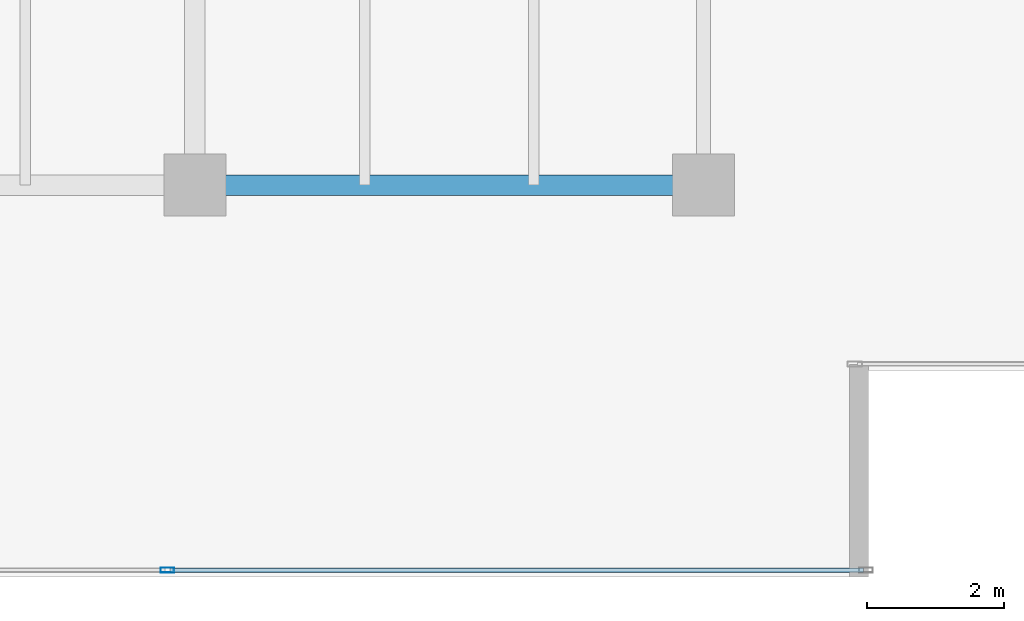
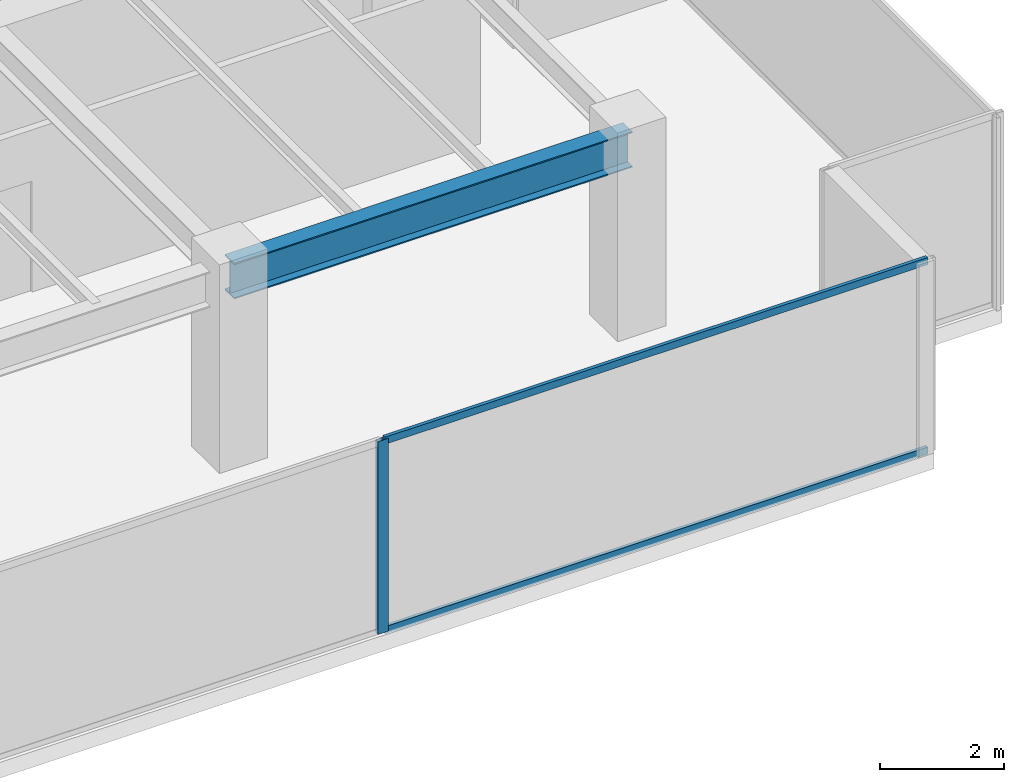
# One storey, part 12 of 31: 3 members, 1 beam, 1 element without a shape of its own.
"""IFC4 building model written with IfcOpenShell, lengths in metres."""

from ifc_helpers import new_model, si_unit, direction, frame, origin, origin_2d, place, context, subcontext, project, spatial, hollow_rectangle, i_section, extrude, source, transform, mapped, material, layer, layer_set, material_profile, profile_set, type_object, type_shapes, element, aggregate, save


model = new_model("IFC4")

# Units and contexts
model_context = context("Model", 3, precision=1e-05, world=origin(), true_north=direction((0.0, 1.0)))
body_context = subcontext(model_context, "Body", "Model", "MODEL_VIEW")
ifc_project = project(units=[si_unit("LENGTHUNIT", "METRE"), si_unit("AREAUNIT", "SQUARE_METRE"), si_unit("VOLUMEUNIT", "CUBIC_METRE"), si_unit("PLANEANGLEUNIT", "RADIAN"), si_unit("MASSUNIT", "GRAM", prefix="KILO")], contexts=[model_context])

# Site, building, storey
site_placement = place(None, origin())
site = spatial("IfcSite", under=ifc_project, at=site_placement, CompositionType="ELEMENT")
building_placement = place(site_placement, origin())
building = spatial("IfcBuilding", under=site, at=building_placement, Name="Haelvirn Gate Laboratories", CompositionType="ELEMENT")
storey_placement = place(building_placement, frame((0.0, 0.0, 154.300048828125)))
storey = spatial("IfcBuildingStorey", under=building, at=storey_placement, Name="L37", CompositionType="ELEMENT", Elevation=154.300048828125)

# Beam
ifc_material_1 = material(Name="Steel SM355", Category="steel")
ifc_material_profile_1 = material_profile(ifc_material_1, i_section(OverallWidth=0.300048828125, OverallDepth=0.699951171875, WebThickness=0.012939453125, FlangeThickness=0.02392578125, at=origin_2d()), Name="H-700x300x13x24")
ifc_profile_set_1 = profile_set([ifc_material_profile_1], Name="Steel SM355")
beam_type = type_object("IfcBeamType", Name="BM-G-700", PredefinedType="BEAM", material=ifc_profile_set_1)
shared_shape_1 = source(origin(), body_context, "Body", "SweptSolid", [
    extrude(i_section(OverallWidth=0.300048828125, OverallDepth=0.699951171875, WebThickness=0.012939453125, FlangeThickness=0.02392578125, at=origin_2d()), origin(), (0.0, 0.0, 1.0), 7.39990234375),
])
type_shapes(beam_type, [shared_shape_1])
beam_placement = place(storey_placement, frame((60.0, 7.0, 3.43994140625), z_axis=(1.0, 0.0, 0.0), x_axis=(0.0, 1.0, 0.0)))
element("IfcBeam", 1, at=beam_placement, inside=storey, type_object=beam_type, Name="L37 Primary Girder Y7.0 (60.0-67.4)", PredefinedType="BEAM", context=body_context, shape_type="MappedRepresentation", body=[
    mapped(shared_shape_1, transform((0.0, 0.0, 0.0), scale=1.0)),
])

# Curtain wall, members
ifc_material_2 = material(Name="Anodised bronze unitised aluminium & triple low-E glass", Category="aluminium")
ifc_layer = layer(ifc_material_2, 0.179931640625, Name="CW-SYS-3")
ifc_layer_set = layer_set([ifc_layer], Name="Anodised bronze unitised aluminium & triple low-E glass")
curtain_wall_type = type_object("IfcCurtainWallType", Name="CW-SYS-3", PredefinedType="NOTDEFINED", material=ifc_layer_set)
curtain_wall_placement = place(storey_placement, origin())
curtain_wall = element("IfcCurtainWall", 2, at=curtain_wall_placement, inside=storey, type_object=curtain_wall_type, Name="L37 Unitised Curtain Wall CW-L37-P0-E04-1", PredefinedType="NOTDEFINED")
ifc_material_3 = material(Name="Extruded aluminium 6063-T6 (anodised bronze)", Category="aluminium")
ifc_material_profile_2 = material_profile(ifc_material_3, hollow_rectangle(XDim=0.06494140625, YDim=0.139892578125, WallThickness=0.00390625, at=origin_2d()), Name="CWT-140x65x4")
ifc_profile_set_2 = profile_set([ifc_material_profile_2], Name="Extruded aluminium 6063-T6 (anodised bronze)")
member_type_1 = type_object("IfcMemberType", Name="CWT-T140", PredefinedType="USERDEFINED", material=ifc_profile_set_2)
shared_shape_2 = source(origin(), body_context, "Body", "SweptSolid", [
    extrude(hollow_rectangle(XDim=0.06494140625, YDim=0.139892578125, WallThickness=0.00390625, at=origin_2d()), origin(), (0.0, 0.0, 1.0), 10.087646484375),
])
type_shapes(member_type_1, [shared_shape_2])
member_1_placement = place(storey_placement, frame((59.637451171875, 1.39990234375, 0.032470703125), z_axis=(1.0, 0.0, 0.0), x_axis=(0.0, 1.0, 0.0)))
member_1 = element("IfcMember", 3, at=member_1_placement, type_object=member_type_1, Name="CW3 transom 2.1", ObjectType="TRANSOM", PredefinedType="USERDEFINED", context=body_context, shape_type="MappedRepresentation", body=[
    mapped(shared_shape_2, transform((0.0, 0.0, 0.0), scale=1.0)),
])
member_2_placement = place(storey_placement, frame((59.637451171875, 1.39990234375, 3.757568359375), z_axis=(1.0, 0.0, 0.0), x_axis=(0.0, 1.0, 0.0)))
member_2 = element("IfcMember", 4, at=member_2_placement, type_object=member_type_1, Name="CW3 transom 2.2", ObjectType="TRANSOM", PredefinedType="USERDEFINED", context=body_context, shape_type="MappedRepresentation", body=[
    mapped(shared_shape_2, transform((0.0, 0.0, 0.0), scale=1.0)),
])
ifc_material_profile_3 = material_profile(ifc_material_3, hollow_rectangle(XDim=0.074951171875, YDim=0.199951171875, WallThickness=0.0048828125, at=origin_2d()), Name="CWM-200x75x5")
ifc_profile_set_3 = profile_set([ifc_material_profile_3], Name="Extruded aluminium 6063-T6 (anodised bronze)")
member_type_2 = type_object("IfcMemberType", Name="CWM-T200", PredefinedType="MULLION", material=ifc_profile_set_3)
shared_shape_3 = source(origin(), body_context, "Body", "SweptSolid", [
    extrude(hollow_rectangle(XDim=0.074951171875, YDim=0.199951171875, WallThickness=0.0048828125, at=origin_2d()), origin(), (0.0, 0.0, 1.0), 3.7900390625),
])
type_shapes(member_type_2, [shared_shape_3])
member_3_placement = place(storey_placement, frame((59.60009765625, 1.39990234375, 0.0), z_axis=(0.0, 0.0, 1.0), x_axis=(0.0, 1.0, 0.0)))
member_3 = element("IfcMember", 5, at=member_3_placement, type_object=member_type_2, Name="CW3 mullion 2", PredefinedType="MULLION", context=body_context, shape_type="MappedRepresentation", body=[
    mapped(shared_shape_3, transform((0.0, 0.0, 0.0), scale=1.0)),
])
aggregate(curtain_wall, [member_3, member_1, member_2])

save(model, "model.ifc")
